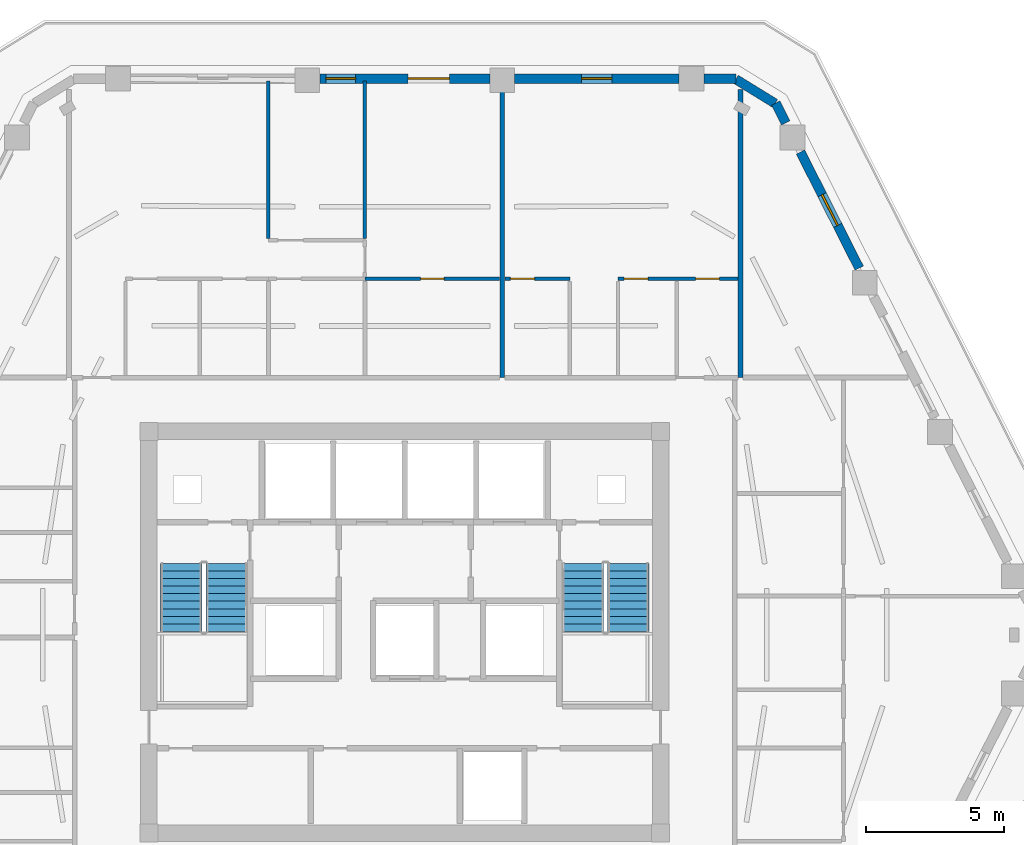
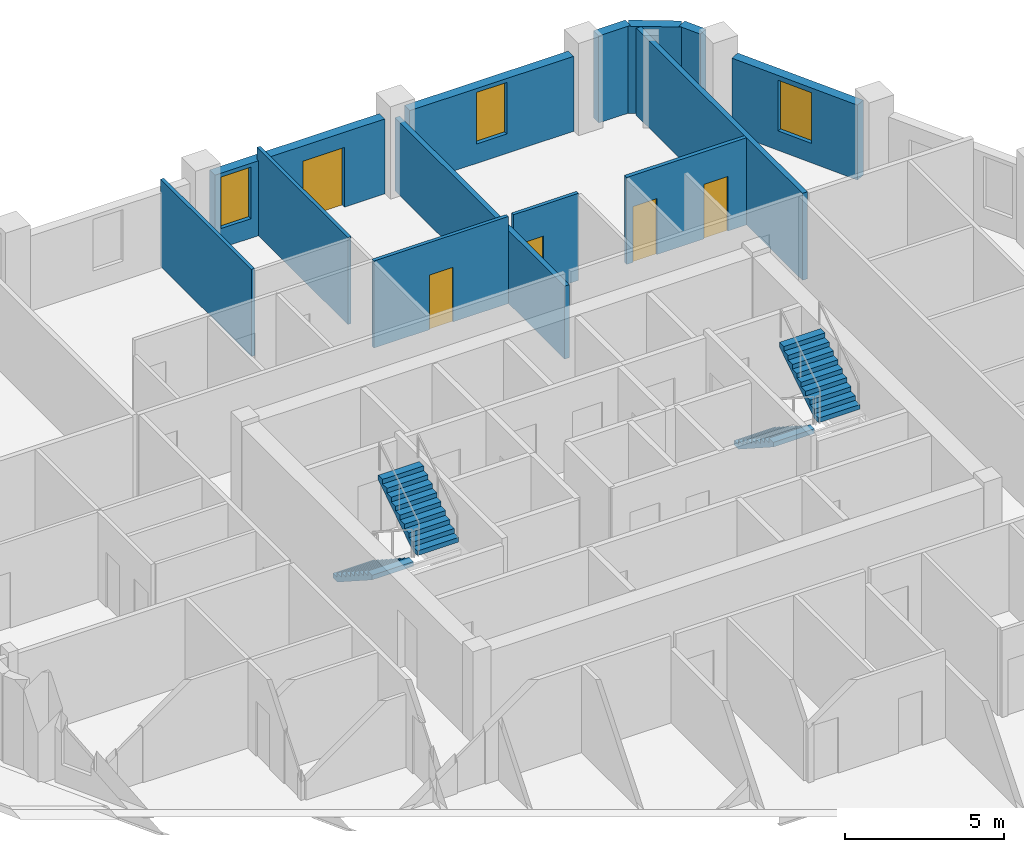
# One storey, part 7 of 10: 13 walls, 5 doors, 4 stair flights, 3 windows, 8 openings, 2 elements without a shape of their own.
"""IFC4 building model written with IfcOpenShell, lengths in metres."""

from ifc_helpers import new_model, si_unit, direction, frame, frame_2d, origin, place, context, subcontext, project, spatial, polyline, rectangle, outline, extrude, material, layer, layer_set, type_object, element, fill, aggregate, save


model = new_model("IFC4")

# Units and contexts
model_context = context("Model", 3, precision=1e-05, world=origin(), true_north=direction((0.0, 1.0)))
body_context = subcontext(model_context, "Body", "Model", "MODEL_VIEW")
ifc_project = project(units=[si_unit("LENGTHUNIT", "METRE"), si_unit("AREAUNIT", "SQUARE_METRE"), si_unit("VOLUMEUNIT", "CUBIC_METRE"), si_unit("PLANEANGLEUNIT", "RADIAN"), si_unit("MASSUNIT", "GRAM", prefix="KILO")], contexts=[model_context])

# Site, building, storey
site_placement = place(None, origin())
site = spatial("IfcSite", under=ifc_project, at=site_placement, CompositionType="ELEMENT")
building_placement = place(site_placement, origin())
building = spatial("IfcBuilding", under=site, at=building_placement, Name="Cinnabar Lancet Tower", CompositionType="ELEMENT")
storey_placement = place(building_placement, frame((0.0, 0.0, 171.89990234375)))
storey = spatial("IfcBuildingStorey", under=building, at=storey_placement, Name="L45", CompositionType="ELEMENT", Elevation=171.89990234375)

# Walls
ifc_material_1 = material(Name="Fire-rated twin-frame acoustic drywall", Category="gypsum")
ifc_layer_1 = layer(ifc_material_1, 0.179931640625)
ifc_layer_set_1 = layer_set([ifc_layer_1], Name="Fire-rated twin-frame acoustic drywall")
wall_type_1 = type_object("IfcWallType", Name="ARC-WL-PARTY-180", PredefinedType="PARTITIONING", material=ifc_layer_set_1)
wall_1_placement = place(storey_placement, frame((35.943115234375, 35.14990234375, 0.0), z_axis=(0.0, 0.0, 1.0), x_axis=(0.0, 1.0, 0.0)))
element("IfcWall", 1, at=wall_1_placement, inside=storey, type_object=wall_type_1, Name="PW-L45-NPTY-359", PredefinedType="PARTITIONING", context=body_context, shape_type="SweptSolid", body=[
    extrude(rectangle(XDim=10.695068359375, YDim=0.179931640625, at=frame_2d((5.34765625, 0.0))), origin(), (0.0, 0.0, 1.0), 2.80712890625),
])
wall_2_placement = place(storey_placement, frame((44.60009765625, 35.14990234375, 0.0), z_axis=(0.0, 0.0, 1.0), x_axis=(0.0, 1.0, 0.0)))
element("IfcWall", 2, at=wall_2_placement, inside=storey, type_object=wall_type_1, Name="PW-L45-NPTY-446", PredefinedType="PARTITIONING", context=body_context, shape_type="SweptSolid", body=[
    extrude(rectangle(XDim=10.482177734375, YDim=0.179931640625, at=frame_2d((5.2412109375, 0.0))), origin(), (0.0, 0.0, 1.0), 3.35009765625),
])

# Wall, opening, door
ifc_material_2 = material(Name="Gypsum plasterboard stud partition", Category="gypsum")
ifc_layer_2 = layer(ifc_material_2, 0.125)
ifc_layer_set_2 = layer_set([ifc_layer_2], Name="Gypsum plasterboard stud partition")
wall_type_2 = type_object("IfcWallType", Name="ARC-WL-UNIT-125", PredefinedType="PARTITIONING", material=ifc_layer_set_2)
wall_3_placement = place(storey_placement, frame((30.949951171875, 38.7451171875, 0.0), z_axis=(0.0, 0.0, 1.0), x_axis=(1.0, 0.0, 0.0)))
wall_3 = element("IfcWall", 3, at=wall_3_placement, inside=storey, type_object=wall_type_2, Name="UW-L45-N01-SP2", PredefinedType="PARTITIONING", context=body_context, shape_type="SweptSolid", body=[
    extrude(rectangle(XDim=4.89794921875, YDim=0.125, at=frame_2d((2.448974609375, 0.0))), origin(), (0.0, 0.0, 1.0), 3.35009765625),
])
opening_1_placement = place(wall_3_placement, frame((2.02392578125, 0.0, 0.0)))
opening_1 = element("IfcOpeningElement", 4, at=opening_1_placement, cuts=wall_3, Name="Opening BD-01", PredefinedType="OPENING", context=body_context, shape_type="SweptSolid", body=[
    extrude(rectangle(XDim=0.860107421875, YDim=2.10009765625, at=frame_2d((0.43017578125, 1.050048828125))), frame((0.0, 0.072509765625, 0.0), z_axis=(0.0, -1.0, 0.0), x_axis=(1.0, 0.0, 0.0)), (0.0, 0.0, 1.0), 0.14501953125),
])
ifc_material_3 = material(Name="Moisture-resistant timber bathroom door", Category="wood")
door_type_1 = type_object("IfcDoorType", Name="ARC-DR-BATH", OperationType="NOTDEFINED", PredefinedType="DOOR", material=ifc_material_3)
door_1_placement = place(opening_1_placement, origin())
door_1 = element("IfcDoor", 5, at=door_1_placement, inside=storey, type_object=door_type_1, Name="DR-L45-N01-ENS", OperationType="SINGLE_SWING_RIGHT", OverallHeight=2.10009765625, OverallWidth=0.860107421875, PredefinedType="DOOR", context=body_context, shape_type="SweptSolid", body=[
    extrude(rectangle(XDim=0.860107421875, YDim=2.10009765625, at=frame_2d((0.43017578125, 1.050048828125))), frame((0.0, 0.02490234375, 0.0), z_axis=(0.0, -1.0, 0.0), x_axis=(1.0, 0.0, 0.0)), (0.0, 0.0, 1.0), 0.050048828125),
])
fill(opening_1, door_1)

# Walls
for number, where, z_axis, x_axis, name in (
    (6, (27.44189453125, 40.2099609375, 0.0), (0.0, 0.0, 1.0), (0.0, 1.0, 0.0), "UW-L45-N01-BD2W"),
    (7, (30.949951171875, 40.2099609375, 0.0), (0.0, 0.0, 1.0), (0.0, 1.0, 0.0), "UW-L45-N01-MB2W"),
):
    element("IfcWall", number, at=place(storey_placement, frame(where, z_axis=z_axis, x_axis=x_axis)), inside=storey, type_object=wall_type_2, Name=name, PredefinedType="PARTITIONING", context=body_context, shape_type="SweptSolid", body=[
        extrude(rectangle(XDim=5.72509765625, YDim=0.125, at=frame_2d((2.862548828125, 0.0))), origin(), (0.0, 0.0, 1.0), 3.35009765625),
    ])

# Wall, opening, door
wall_4_placement = place(storey_placement, frame((36.0380859375, 38.7451171875, 0.0), z_axis=(0.0, 0.0, 1.0), x_axis=(1.0, 0.0, 0.0)))
wall_4 = element("IfcWall", 8, at=wall_4_placement, inside=storey, type_object=wall_type_2, Name="UW-L45-N02-SP0", PredefinedType="PARTITIONING", context=body_context, shape_type="SweptSolid", body=[
    extrude(rectangle(XDim=2.36181640625, YDim=0.125, at=frame_2d((1.180908203125, 0.0))), origin(), (0.0, 0.0, 1.0), 3.35009765625),
])
opening_2_placement = place(wall_4_placement, frame((0.199951171875, 0.0, 0.0)))
opening_2 = element("IfcOpeningElement", 9, at=opening_2_placement, cuts=wall_4, Name="Opening RD-02", PredefinedType="OPENING", context=body_context, shape_type="SweptSolid", body=[
    extrude(rectangle(XDim=0.8798828125, YDim=2.14990234375, at=frame_2d((0.43994140625, 1.074951171875))), frame((0.0, 0.072509765625, 0.0), z_axis=(0.0, -1.0, 0.0), x_axis=(1.0, 0.0, 0.0)), (0.0, 0.0, 1.0), 0.14501953125),
])
ifc_material_4 = material(Name="Engineered timber study door", Category="wood")
door_type_2 = type_object("IfcDoorType", Name="ARC-DR-STUDY", OperationType="NOTDEFINED", PredefinedType="DOOR", material=ifc_material_4)
door_2_placement = place(opening_2_placement, origin())
door_2 = element("IfcDoor", 10, at=door_2_placement, inside=storey, type_object=door_type_2, Name="DR-L45-N02-EX0", OperationType="SINGLE_SWING_LEFT", OverallHeight=2.14990234375, OverallWidth=0.8798828125, PredefinedType="DOOR", context=body_context, shape_type="SweptSolid", body=[
    extrude(rectangle(XDim=0.8798828125, YDim=2.14990234375, at=frame_2d((0.43994140625, 1.074951171875))), frame((0.0, 0.02490234375, 0.0), z_axis=(0.0, -1.0, 0.0), x_axis=(1.0, 0.0, 0.0)), (0.0, 0.0, 1.0), 0.050048828125),
])
fill(opening_2, door_2)

# Wall, openings, doors
ifc_material_5 = material(Name="Moisture-resistant cement-board plumbing wall", Category="masonry")
ifc_layer_3 = layer(ifc_material_5, 0.139892578125)
ifc_layer_set_3 = layer_set([ifc_layer_3], Name="Moisture-resistant cement-board plumbing wall")
wall_type_3 = type_object("IfcWallType", Name="ARC-WL-WET-140", PredefinedType="PLUMBINGWALL", material=ifc_layer_set_3)
wall_5_placement = place(storey_placement, frame((40.14990234375, 38.7451171875, 0.0), z_axis=(0.0, 0.0, 1.0), x_axis=(1.0, 0.0, 0.0)))
wall_5 = element("IfcWall", 11, at=wall_5_placement, inside=storey, type_object=wall_type_3, Name="UW-L45-N02-SPL", PredefinedType="PLUMBINGWALL", context=body_context, shape_type="SweptSolid", body=[
    extrude(rectangle(XDim=4.35498046875, YDim=0.139892578125, at=frame_2d((2.177490234375, 0.0))), origin(), (0.0, 0.0, 1.0), 3.35009765625),
])
opening_3_placement = place(wall_5_placement, frame((2.821044921875, 0.0, 0.0)))
opening_3 = element("IfcOpeningElement", 12, at=opening_3_placement, cuts=wall_5, Name="Opening BD-01", PredefinedType="OPENING", context=body_context, shape_type="SweptSolid", body=[
    extrude(rectangle(XDim=0.860107421875, YDim=2.10009765625, at=frame_2d((0.43017578125, 1.050048828125))), frame((0.0, 0.079833984375, 0.0), z_axis=(0.0, -1.0, 0.0), x_axis=(1.0, 0.0, 0.0)), (0.0, 0.0, 1.0), 0.159912109375),
])
opening_4_placement = place(wall_5_placement, frame((0.219970703125, 0.0, 0.0)))
opening_4 = element("IfcOpeningElement", 13, at=opening_4_placement, cuts=wall_5, Name="Opening RD-02", PredefinedType="OPENING", context=body_context, shape_type="SweptSolid", body=[
    extrude(rectangle(XDim=0.8798828125, YDim=2.14990234375, at=frame_2d((0.43994140625, 1.074951171875))), frame((0.0, 0.079833984375, 0.0), z_axis=(0.0, -1.0, 0.0), x_axis=(1.0, 0.0, 0.0)), (0.0, 0.0, 1.0), 0.159912109375),
])
door_3_placement = place(opening_3_placement, origin())
door_3 = element("IfcDoor", 14, at=door_3_placement, inside=storey, type_object=door_type_1, Name="DR-L45-N02-BTH", OperationType="SINGLE_SWING_LEFT", OverallHeight=2.10009765625, OverallWidth=0.860107421875, PredefinedType="DOOR", context=body_context, shape_type="SweptSolid", body=[
    extrude(rectangle(XDim=0.860107421875, YDim=2.10009765625, at=frame_2d((0.43017578125, 1.050048828125))), frame((0.0, 0.02490234375, 0.0), z_axis=(0.0, -1.0, 0.0), x_axis=(1.0, 0.0, 0.0)), (0.0, 0.0, 1.0), 0.050048828125),
])
fill(opening_3, door_3)
door_4_placement = place(opening_4_placement, origin())
door_4 = element("IfcDoor", 15, at=door_4_placement, inside=storey, type_object=door_type_2, Name="DR-L45-N02-KIT", OperationType="SINGLE_SWING_RIGHT", OverallHeight=2.14990234375, OverallWidth=0.8798828125, PredefinedType="DOOR", context=body_context, shape_type="SweptSolid", body=[
    extrude(rectangle(XDim=0.8798828125, YDim=2.14990234375, at=frame_2d((0.43994140625, 1.074951171875))), frame((0.0, 0.02490234375, 0.0), z_axis=(0.0, -1.0, 0.0), x_axis=(1.0, 0.0, 0.0)), (0.0, 0.0, 1.0), 0.050048828125),
])
fill(opening_4, door_4)

# Wall
ifc_material_6 = material(Name="Cinnabar red clay brick", Category="masonry")
ifc_layer_4 = layer(ifc_material_6, 0.340087890625)
ifc_layer_set_4 = layer_set([ifc_layer_4], Name="Cinnabar red clay brick")
wall_type_4 = type_object("IfcWallType", Name="ENV-WL-BRK-RED-340", PredefinedType="STANDARD", material=ifc_layer_set_4)
wall_6_placement = place(storey_placement, frame((45.862060546875, 45.115966796875, 0.0), z_axis=(0.0, 0.0, 1.0), x_axis=(-0.851713271379, 0.524008113828, 0.0)))
element("IfcWall", 16, at=wall_6_placement, inside=storey, type_object=wall_type_4, Name="L45 Chamfered Corner Brick Pier 4.1", PredefinedType="STANDARD", context=body_context, shape_type="SweptSolid", body=[
    extrude(rectangle(XDim=1.677734375, YDim=0.340087890625, at=frame_2d((0.8388671875, 0.0))), origin(), (0.0, 0.0, 1.0), 3.35009765625),
])

# Wall, opening, window
wall_7_placement = place(storey_placement, frame((48.9189453125, 39.1298828125, 0.0), z_axis=(0.0, 0.0, 1.0), x_axis=(-0.45150207307, 0.892270070109, 0.0)))
wall_7 = element("IfcWall", 17, at=wall_7_placement, inside=storey, type_object=wall_type_4, Name="L45 Face 3 Masonry Bay Wall 4", PredefinedType="STANDARD", context=body_context, shape_type="SweptSolid", body=[
    extrude(rectangle(XDim=4.73095703125, YDim=0.340087890625, at=frame_2d((2.365478515625, 0.0))), origin(), (0.0, 0.0, 1.0), 2.883056640625),
])
opening_5_placement = place(wall_7_placement, frame((1.739990234375, 0.0, 0.75)))
opening_5 = element("IfcOpeningElement", 18, at=opening_5_placement, cuts=wall_7, Name="Opening WN-03", PredefinedType="OPENING", context=body_context, shape_type="SweptSolid", body=[
    extrude(rectangle(XDim=1.25, YDim=1.949951171875, at=frame_2d((0.625, 0.97509765625))), frame((0.0, 0.179931640625, 0.0), z_axis=(0.0, -1.0, 0.0), x_axis=(1.0, 0.0, 0.0)), (0.0, 0.0, 1.0), 0.360107421875),
])
ifc_material_7 = material(Name="Thermally broken bronze-anodized aluminium low-E double glazing", Category="aluminium")
window_type_1 = type_object("IfcWindowType", Name="ENV-WN-LANCET-1250", PartitioningType="SINGLE_PANEL", PredefinedType="WINDOW", material=ifc_material_7)
window_1_placement = place(opening_5_placement, origin())
window_1 = element("IfcWindow", 19, at=window_1_placement, inside=storey, type_object=window_type_1, Name="L45 Face 3 Gothic Lancet Window 4", OverallHeight=1.949951171875, OverallWidth=1.25, PartitioningType="SINGLE_PANEL", PredefinedType="WINDOW", context=body_context, shape_type="SweptSolid", body=[
    extrude(rectangle(XDim=1.25, YDim=1.949951171875, at=frame_2d((0.625, 0.97509765625))), frame((0.0, 0.030029296875, 0.0), z_axis=(0.0, -1.0, 0.0), x_axis=(1.0, 0.0, 0.0)), (0.0, 0.0, 1.0), 0.06005859375),
])
fill(opening_5, window_1)

# Walls
wall_8_placement = place(storey_placement, frame((46.24609375, 44.4130859375, 0.0), z_axis=(0.0, 0.0, 1.0), x_axis=(-0.451691568309, 0.892174157392, 0.0)))
element("IfcWall", 20, at=wall_8_placement, inside=storey, type_object=wall_type_4, Name="L45 Face 3 Masonry Bay Wall 5", PredefinedType="STANDARD", context=body_context, shape_type="SweptSolid", body=[
    extrude(rectangle(XDim=0.805908203125, YDim=0.340087890625, at=frame_2d((0.40283203125, 0.0))), origin(), (0.0, 0.0, 1.0), 3.35009765625),
])
wall_9_placement = place(storey_placement, frame((44.43798828125, 46.02001953125, 0.0), z_axis=(0.0, 0.0, 1.0), x_axis=(-1.0, 0.0, 0.0)))
element("IfcWall", 21, at=wall_9_placement, inside=storey, type_object=wall_type_4, Name="L45 Face 4 Masonry Bay Wall 1", PredefinedType="STANDARD", context=body_context, shape_type="SweptSolid", body=[
    extrude(rectangle(XDim=1.1630859375, YDim=0.340087890625, at=frame_2d((0.58154296875, 0.0))), origin(), (0.0, 0.0, 1.0), 3.35009765625),
])

# Wall, opening, window
wall_10_placement = place(storey_placement, frame((42.366943359375, 46.02001953125, 0.0), z_axis=(0.0, 0.0, 1.0), x_axis=(-1.0, 0.0, 0.0)))
wall_10 = element("IfcWall", 22, at=wall_10_placement, inside=storey, type_object=wall_type_4, Name="L45 Face 4 Masonry Bay Wall 2", PredefinedType="STANDARD", context=body_context, shape_type="SweptSolid", body=[
    extrude(rectangle(XDim=5.969970703125, YDim=0.340087890625, at=frame_2d((2.98486328125, 0.0))), origin(), (0.0, 0.0, 1.0), 2.883056640625),
])
opening_6_placement = place(wall_10_placement, frame((2.43505859375, 0.0, 0.75)))
opening_6 = element("IfcOpeningElement", 23, at=opening_6_placement, cuts=wall_10, Name="Opening WN-04", PredefinedType="OPENING", context=body_context, shape_type="SweptSolid", body=[
    extrude(rectangle(XDim=1.10009765625, YDim=1.98291015625, at=frame_2d((0.550048828125, 0.991455078125))), frame((0.0, 0.179931640625, 0.0), z_axis=(0.0, -1.0, 0.0), x_axis=(1.0, 0.0, 0.0)), (0.0, 0.0, 1.0), 0.360107421875),
])
ifc_material_8 = material(Name="Thermally broken bronze-anodized aluminium tall lancet window", Category="aluminium")
window_type_2 = type_object("IfcWindowType", Name="ENV-WN-LANCET-1100", PartitioningType="SINGLE_PANEL", PredefinedType="WINDOW", material=ifc_material_8)
window_2_placement = place(opening_6_placement, origin())
window_2 = element("IfcWindow", 24, at=window_2_placement, inside=storey, type_object=window_type_2, Name="L45 Face 4 Gothic Lancet Window 2", OverallHeight=1.98291015625, OverallWidth=1.10009765625, PartitioningType="SINGLE_PANEL", PredefinedType="WINDOW", context=body_context, shape_type="SweptSolid", body=[
    extrude(rectangle(XDim=1.10009765625, YDim=1.98291015625, at=frame_2d((0.550048828125, 0.991455078125))), frame((0.0, 0.030029296875, 0.0), z_axis=(0.0, -1.0, 0.0), x_axis=(1.0, 0.0, 0.0)), (0.0, 0.0, 1.0), 0.06005859375),
])
fill(opening_6, window_2)

# Wall, openings, door, window
wall_11_placement = place(storey_placement, frame((35.489013671875, 46.02001953125, 0.0), z_axis=(0.0, 0.0, 1.0), x_axis=(-1.0, 0.0, 0.0)))
wall_11 = element("IfcWall", 25, at=wall_11_placement, inside=storey, type_object=wall_type_4, Name="L45 Face 4 Masonry Bay Wall 3", PredefinedType="STANDARD", context=body_context, shape_type="SweptSolid", body=[
    extrude(rectangle(XDim=6.177978515625, YDim=0.340087890625, at=frame_2d((3.0888671875, 0.0))), origin(), (0.0, 0.0, 1.0), 2.883056640625),
])
opening_7_placement = place(wall_11_placement, frame((1.468017578125, 0.0, 0.0)))
opening_7 = element("IfcOpeningElement", 26, at=opening_7_placement, cuts=wall_11, Name="Opening TD-02", PredefinedType="OPENING", context=body_context, shape_type="SweptSolid", body=[
    extrude(rectangle(XDim=1.5, YDim=2.300048828125, at=frame_2d((0.75, 1.14990234375))), frame((0.0, 0.179931640625, 0.0), z_axis=(0.0, -1.0, 0.0), x_axis=(1.0, 0.0, 0.0)), (0.0, 0.0, 1.0), 0.360107421875),
])
opening_8_placement = place(wall_11_placement, frame((4.8720703125, 0.0, 0.75)))
opening_8 = element("IfcOpeningElement", 27, at=opening_8_placement, cuts=wall_11, Name="Opening WN-04", PredefinedType="OPENING", context=body_context, shape_type="SweptSolid", body=[
    extrude(rectangle(XDim=1.0859375, YDim=1.98291015625, at=frame_2d((0.54296875, 0.991455078125))), frame((0.0, 0.179931640625, 0.0), z_axis=(0.0, -1.0, 0.0), x_axis=(1.0, 0.0, 0.0)), (0.0, 0.0, 1.0), 0.360107421875),
])
ifc_material_9 = material(Name="Thermally broken low-E glazed sky-terrace double door", Category="wood")
door_type_3 = type_object("IfcDoorType", Name="ARC-DR-STER", OperationType="NOTDEFINED", PredefinedType="DOOR", material=ifc_material_9)
door_5_placement = place(opening_7_placement, origin())
door_5 = element("IfcDoor", 28, at=door_5_placement, inside=storey, type_object=door_type_3, Name="L45 Face 4 Glazed Terrace Door", OperationType="SINGLE_SWING_LEFT", OverallHeight=2.300048828125, OverallWidth=1.5, PredefinedType="DOOR", context=body_context, shape_type="SweptSolid", body=[
    extrude(rectangle(XDim=1.5, YDim=2.300048828125, at=frame_2d((0.75, 1.14990234375))), frame((0.0, 0.02490234375, 0.0), z_axis=(0.0, -1.0, 0.0), x_axis=(1.0, 0.0, 0.0)), (0.0, 0.0, 1.0), 0.050048828125),
])
fill(opening_7, door_5)
window_3_placement = place(opening_8_placement, origin())
window_3 = element("IfcWindow", 29, at=window_3_placement, inside=storey, type_object=window_type_2, Name="L45 Split-Bay Gothic Lancet Window 130", OverallHeight=1.98291015625, OverallWidth=1.0859375, PartitioningType="SINGLE_PANEL", PredefinedType="WINDOW", context=body_context, shape_type="SweptSolid", body=[
    extrude(rectangle(XDim=1.0859375, YDim=1.98291015625, at=frame_2d((0.54296875, 0.991455078125))), frame((0.0, 0.030029296875, 0.0), z_axis=(0.0, -1.0, 0.0), x_axis=(1.0, 0.0, 0.0)), (0.0, 0.0, 1.0), 0.06005859375),
])
fill(opening_8, window_3)

# Stair, stair flights
ifc_material_10 = material(Name="Concrete C40/50", Category="concrete")
stair_type = type_object("IfcStairType", Name="ST-CORE", PredefinedType="HALF_TURN_STAIR", material=ifc_material_10)
stair_1_placement = place(storey_placement, origin())
stair_1 = element("IfcStair", 30, at=stair_1_placement, inside=storey, type_object=stair_type, Name="L45 ST-1", PredefinedType="HALF_TURN_STAIR")
ifc_material_11 = material(Name="Concrete C40/50", Category="concrete")
stair_flight_type = type_object("IfcStairFlightType", Name="FLIGHT-CORE", PredefinedType="STRAIGHT", material=ifc_material_11)
stair_flight_1_placement = place(storey_placement, frame((24.27490234375, 28.39990234375, 0.0), z_axis=(0.0, 0.0, 1.0), x_axis=(0.0, -1.0, 0.0)))
stair_flight_1 = element("IfcStairFlight", 31, at=stair_flight_1_placement, type_object=stair_flight_type, Name="ST-1 flight 1", NumberOfRisers=10, NumberOfTreads=9, PredefinedType="STRAIGHT", RiserHeight=0.1775, TreadLength=0.275, context=body_context, shape_type="SweptSolid", body=[
    extrude(outline(polyline([(0.0, 0.0), (0.0, 0.177490234375), (0.27490234375, 0.177490234375), (0.27490234375, 0.35498046875), (0.550048828125, 0.35498046875), (0.550048828125, 0.532470703125), (0.824951171875, 0.532470703125), (0.824951171875, 0.7099609375), (1.10009765625, 0.7099609375), (1.10009765625, 0.887451171875), (1.375, 0.887451171875), (1.375, 1.06494140625), (1.64990234375, 1.06494140625), (1.64990234375, 1.242431640625), (1.925048828125, 1.242431640625), (1.925048828125, 1.419921875), (2.199951171875, 1.419921875), (2.199951171875, 1.597412109375), (2.47509765625, 1.597412109375), (2.47509765625, 1.77490234375), (2.47509765625, 1.419189453125), (0.2763671875, 0.0), (0.0, 0.0)])), frame((0.0, 0.75, 0.0), z_axis=(0.0, -1.0, 0.0), x_axis=(1.0, 0.0, 0.0)), (0.0, 0.0, 1.0), 1.5),
])
stair_flight_2_placement = place(storey_placement, frame((25.925048828125, 25.925048828125, 1.775146484375), z_axis=(0.0, 0.0, 1.0), x_axis=(0.0, 1.0, 0.0)))
stair_flight_2 = element("IfcStairFlight", 32, at=stair_flight_2_placement, type_object=stair_flight_type, Name="ST-1 flight 2", NumberOfRisers=10, NumberOfTreads=9, PredefinedType="STRAIGHT", RiserHeight=0.1775, TreadLength=0.275, context=body_context, shape_type="SweptSolid", body=[
    extrude(outline(polyline([(0.0, 0.0), (0.0, 0.177490234375), (0.27490234375, 0.177490234375), (0.27490234375, 0.35498046875), (0.550048828125, 0.35498046875), (0.550048828125, 0.532470703125), (0.824951171875, 0.532470703125), (0.824951171875, 0.7099609375), (1.10009765625, 0.7099609375), (1.10009765625, 0.887451171875), (1.375, 0.887451171875), (1.375, 1.06494140625), (1.64990234375, 1.06494140625), (1.64990234375, 1.242431640625), (1.925048828125, 1.242431640625), (1.925048828125, 1.419921875), (2.199951171875, 1.419921875), (2.199951171875, 1.597412109375), (2.47509765625, 1.597412109375), (2.47509765625, 1.77490234375), (2.47509765625, 1.419189453125), (0.2763671875, 0.0), (0.0, 0.0)])), frame((0.0, 0.75, 0.0), z_axis=(0.0, -1.0, 0.0), x_axis=(1.0, 0.0, 0.0)), (0.0, 0.0, 1.0), 1.5),
])
aggregate(stair_1, [stair_flight_1, stair_flight_2])

stair_2_placement = place(storey_placement, origin())
stair_2 = element("IfcStair", 33, at=stair_2_placement, inside=storey, type_object=stair_type, Name="L45 ST-2", PredefinedType="HALF_TURN_STAIR")
stair_flight_3_placement = place(storey_placement, frame((38.875, 28.39990234375, 0.0), z_axis=(0.0, 0.0, 1.0), x_axis=(0.0, -1.0, 0.0)))
stair_flight_3 = element("IfcStairFlight", 34, at=stair_flight_3_placement, type_object=stair_flight_type, Name="ST-2 flight 1", NumberOfRisers=10, NumberOfTreads=9, PredefinedType="STRAIGHT", RiserHeight=0.1775, TreadLength=0.275, context=body_context, shape_type="SweptSolid", body=[
    extrude(outline(polyline([(0.0, 0.0), (0.0, 0.177490234375), (0.27490234375, 0.177490234375), (0.27490234375, 0.35498046875), (0.550048828125, 0.35498046875), (0.550048828125, 0.532470703125), (0.824951171875, 0.532470703125), (0.824951171875, 0.7099609375), (1.10009765625, 0.7099609375), (1.10009765625, 0.887451171875), (1.375, 0.887451171875), (1.375, 1.06494140625), (1.64990234375, 1.06494140625), (1.64990234375, 1.242431640625), (1.925048828125, 1.242431640625), (1.925048828125, 1.419921875), (2.199951171875, 1.419921875), (2.199951171875, 1.597412109375), (2.47509765625, 1.597412109375), (2.47509765625, 1.77490234375), (2.47509765625, 1.419189453125), (0.2763671875, 0.0), (0.0, 0.0)])), frame((0.0, 0.75, 0.0), z_axis=(0.0, -1.0, 0.0), x_axis=(1.0, 0.0, 0.0)), (0.0, 0.0, 1.0), 1.5),
])
stair_flight_4_placement = place(storey_placement, frame((40.52490234375, 25.925048828125, 1.775146484375), z_axis=(0.0, 0.0, 1.0), x_axis=(0.0, 1.0, 0.0)))
stair_flight_4 = element("IfcStairFlight", 35, at=stair_flight_4_placement, type_object=stair_flight_type, Name="ST-2 flight 2", NumberOfRisers=10, NumberOfTreads=9, PredefinedType="STRAIGHT", RiserHeight=0.1775, TreadLength=0.275, context=body_context, shape_type="SweptSolid", body=[
    extrude(outline(polyline([(0.0, 0.0), (0.0, 0.177490234375), (0.27490234375, 0.177490234375), (0.27490234375, 0.35498046875), (0.550048828125, 0.35498046875), (0.550048828125, 0.532470703125), (0.824951171875, 0.532470703125), (0.824951171875, 0.7099609375), (1.10009765625, 0.7099609375), (1.10009765625, 0.887451171875), (1.375, 0.887451171875), (1.375, 1.06494140625), (1.64990234375, 1.06494140625), (1.64990234375, 1.242431640625), (1.925048828125, 1.242431640625), (1.925048828125, 1.419921875), (2.199951171875, 1.419921875), (2.199951171875, 1.597412109375), (2.47509765625, 1.597412109375), (2.47509765625, 1.77490234375), (2.47509765625, 1.419189453125), (0.2763671875, 0.0), (0.0, 0.0)])), frame((0.0, 0.75, 0.0), z_axis=(0.0, -1.0, 0.0), x_axis=(1.0, 0.0, 0.0)), (0.0, 0.0, 1.0), 1.5),
])
aggregate(stair_2, [stair_flight_3, stair_flight_4])

save(model, "model.ifc")
